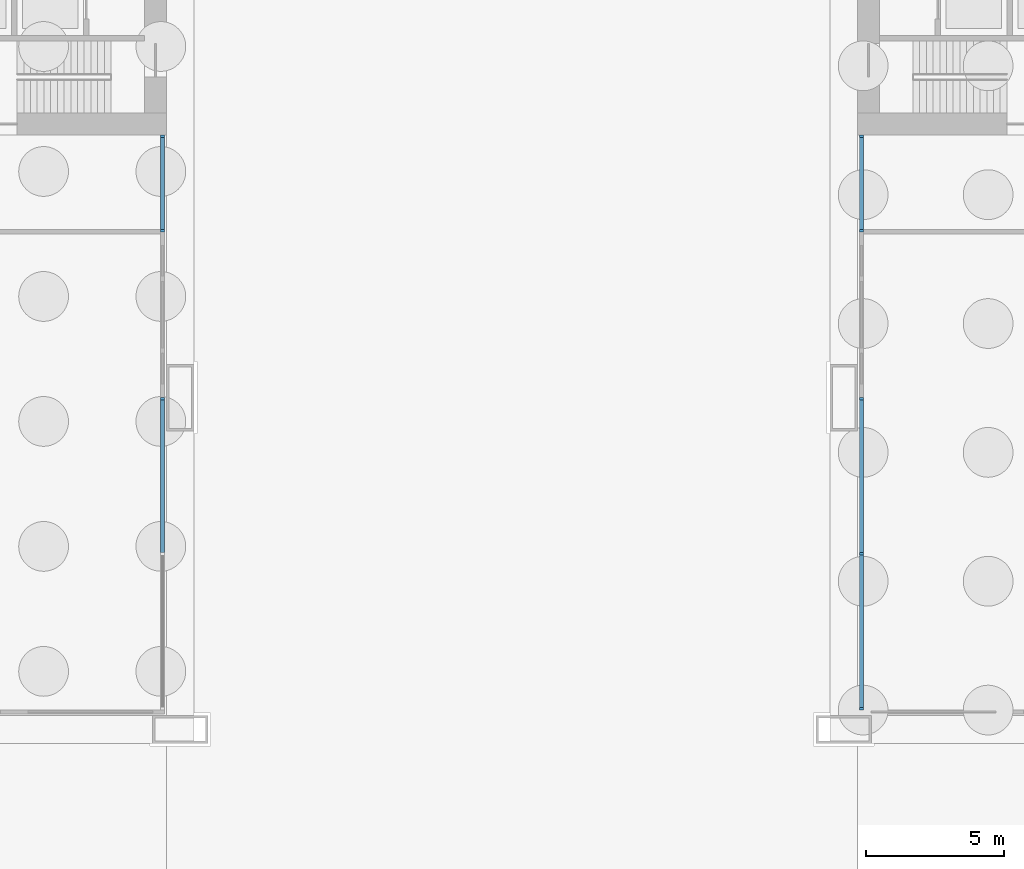
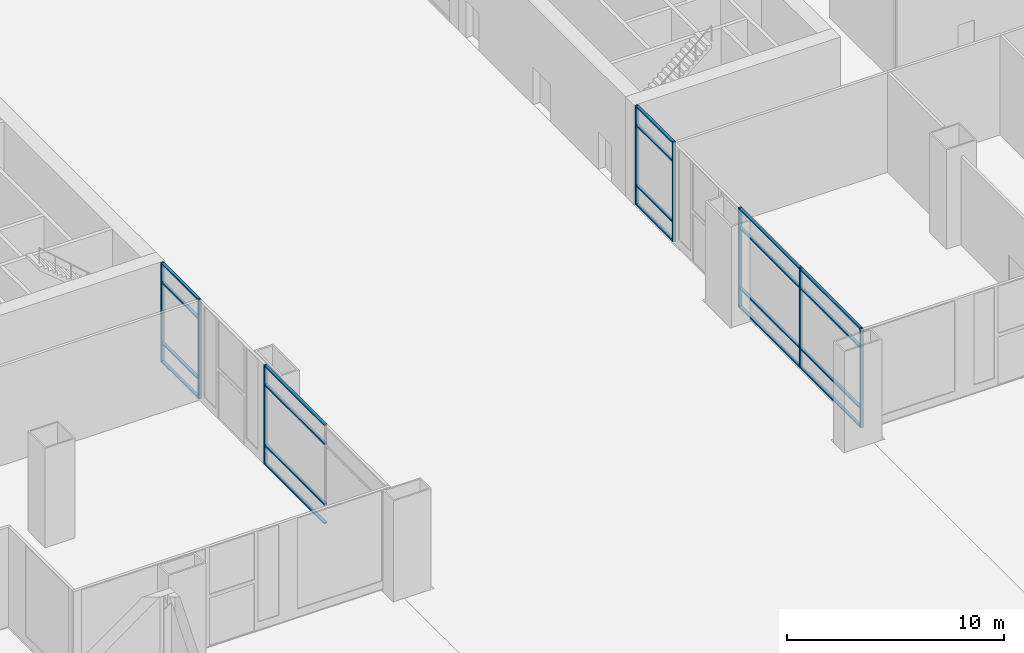
# One storey, part 11 of 29: 28 members, 4 elements without a shape of their own.
"""IFC4 building model written with IfcOpenShell, lengths in metres."""

from ifc_helpers import new_model, si_unit, direction, frame, origin, origin_2d, place, context, subcontext, project, spatial, rectangle, extrude, material, material_profile, profile_set, type_object, element, aggregate, save


model = new_model("IFC4")

# Units and contexts
model_context = context("Model", 3, precision=1e-05, world=origin(), true_north=direction((0.0, 1.0)))
body_context = subcontext(model_context, "Body", "Model", "MODEL_VIEW")
ifc_project = project(units=[si_unit("LENGTHUNIT", "METRE"), si_unit("AREAUNIT", "SQUARE_METRE"), si_unit("VOLUMEUNIT", "CUBIC_METRE"), si_unit("PLANEANGLEUNIT", "RADIAN"), si_unit("MASSUNIT", "GRAM", prefix="KILO")], contexts=[model_context])

# Site, building, storey
site_placement = place(None, origin())
site = spatial("IfcSite", under=ifc_project, at=site_placement, CompositionType="ELEMENT")
building_placement = place(site_placement, origin())
building = spatial("IfcBuilding", under=site, at=building_placement, Name="Kitamizu Gate Tower and Museum", CompositionType="ELEMENT")
storey_placement = place(building_placement, origin())
storey = spatial("IfcBuildingStorey", under=building, at=storey_placement, Name="L00", CompositionType="ELEMENT", Elevation=0.0)

# Curtain wall, member
ifc_material_1 = material(Name="Bronze anodised aluminium frame, tinted triple glazing", Category="aluminium")
curtain_wall_type = type_object("IfcCurtainWallType", Name="CURTAIN WALL TYPE A PODIUM", PredefinedType="NOTDEFINED", material=ifc_material_1)
curtain_wall_1_placement = place(storey_placement, origin())
curtain_wall_1 = element("IfcCurtainWall", 1, at=curtain_wall_1_placement, inside=storey, type_object=curtain_wall_type, Name="Curtain wall CW-A east L00", PredefinedType="NOTDEFINED")
ifc_material_2 = material(Name="Bronze anodised aluminium", Category="aluminium")
ifc_material_profile_1 = material_profile(ifc_material_2, rectangle(XDim=0.090087890625, YDim=0.14990234375, at=origin_2d()), Name="AL 90X150")
ifc_profile_set_1 = profile_set([ifc_material_profile_1], Name="Bronze anodised aluminium")
member_type_1 = type_object("IfcMemberType", Name="MULLION 90 X 150 TYPE A", PredefinedType="MULLION", material=ifc_profile_set_1)
member_1_placement = place(storey_placement, frame((23.364990234375, 11.955078125, 0.0), z_axis=(0.0, 0.0, 1.0), x_axis=(0.0, 1.0, 0.0)))
member_1 = element("IfcMember", 2, at=member_1_placement, type_object=member_type_1, Name="CW-A mullion 3", PredefinedType="MULLION", context=body_context, shape_type="SweptSolid", body=[
    extrude(rectangle(XDim=0.090087890625, YDim=0.14990234375, at=origin_2d()), origin(), (0.0, 0.0, 1.0), 5.60009765625),
])

# Curtain wall, members
curtain_wall_2_placement = place(storey_placement, origin())
curtain_wall_2 = element("IfcCurtainWall", 3, at=curtain_wall_2_placement, inside=storey, type_object=curtain_wall_type, Name="Curtain wall CW-A east L00", PredefinedType="NOTDEFINED")
member_2_placement = place(storey_placement, frame((23.364990234375, 18.044921875, 0.0), z_axis=(0.0, 0.0, 1.0), x_axis=(0.0, 1.0, 0.0)))
member_2 = element("IfcMember", 4, at=member_2_placement, type_object=member_type_1, Name="CW-A mullion 1", PredefinedType="MULLION", context=body_context, shape_type="SweptSolid", body=[
    extrude(rectangle(XDim=0.090087890625, YDim=0.14990234375, at=origin_2d()), origin(), (0.0, 0.0, 1.0), 5.60009765625),
])
member_3_placement = place(storey_placement, frame((23.364990234375, 21.455078125, 0.0), z_axis=(0.0, 0.0, 1.0), x_axis=(0.0, 1.0, 0.0)))
member_3 = element("IfcMember", 5, at=member_3_placement, type_object=member_type_1, Name="CW-A mullion 2", PredefinedType="MULLION", context=body_context, shape_type="SweptSolid", body=[
    extrude(rectangle(XDim=0.090087890625, YDim=0.14990234375, at=origin_2d()), origin(), (0.0, 0.0, 1.0), 5.60009765625),
])

curtain_wall_3_placement = place(storey_placement, origin())
curtain_wall_3 = element("IfcCurtainWall", 6, at=curtain_wall_3_placement, inside=storey, type_object=curtain_wall_type, Name="Curtain wall CW-A west L00", PredefinedType="NOTDEFINED")
member_4_placement = place(storey_placement, frame((48.635009765625, 0.7548828125, 0.0), z_axis=(0.0, 0.0, 1.0), x_axis=(0.0, 1.0, 0.0)))
member_4 = element("IfcMember", 7, at=member_4_placement, type_object=member_type_1, Name="CW-A mullion 1", PredefinedType="MULLION", context=body_context, shape_type="SweptSolid", body=[
    extrude(rectangle(XDim=0.090087890625, YDim=0.14990234375, at=origin_2d()), origin(), (0.0, 0.0, 1.0), 5.60009765625),
])
member_5_placement = place(storey_placement, frame((48.635009765625, 6.35498046875, 0.0), z_axis=(0.0, 0.0, 1.0), x_axis=(0.0, 1.0, 0.0)))
member_5 = element("IfcMember", 8, at=member_5_placement, type_object=member_type_1, Name="CW-A mullion 2", PredefinedType="MULLION", context=body_context, shape_type="SweptSolid", body=[
    extrude(rectangle(XDim=0.090087890625, YDim=0.14990234375, at=origin_2d()), origin(), (0.0, 0.0, 1.0), 5.60009765625),
])
member_6_placement = place(storey_placement, frame((48.635009765625, 11.955078125, 0.0), z_axis=(0.0, 0.0, 1.0), x_axis=(0.0, 1.0, 0.0)))
member_6 = element("IfcMember", 9, at=member_6_placement, type_object=member_type_1, Name="CW-A mullion 3", PredefinedType="MULLION", context=body_context, shape_type="SweptSolid", body=[
    extrude(rectangle(XDim=0.090087890625, YDim=0.14990234375, at=origin_2d()), origin(), (0.0, 0.0, 1.0), 5.60009765625),
])

curtain_wall_4_placement = place(storey_placement, origin())
curtain_wall_4 = element("IfcCurtainWall", 10, at=curtain_wall_4_placement, inside=storey, type_object=curtain_wall_type, Name="Curtain wall CW-A west L00", PredefinedType="NOTDEFINED")
member_7_placement = place(storey_placement, frame((48.635009765625, 18.044921875, 0.0), z_axis=(0.0, 0.0, 1.0), x_axis=(0.0, 1.0, 0.0)))
member_7 = element("IfcMember", 11, at=member_7_placement, type_object=member_type_1, Name="CW-A mullion 1", PredefinedType="MULLION", context=body_context, shape_type="SweptSolid", body=[
    extrude(rectangle(XDim=0.090087890625, YDim=0.14990234375, at=origin_2d()), origin(), (0.0, 0.0, 1.0), 5.60009765625),
])
member_8_placement = place(storey_placement, frame((48.635009765625, 21.455078125, 0.0), z_axis=(0.0, 0.0, 1.0), x_axis=(0.0, 1.0, 0.0)))
member_8 = element("IfcMember", 12, at=member_8_placement, type_object=member_type_1, Name="CW-A mullion 2", PredefinedType="MULLION", context=body_context, shape_type="SweptSolid", body=[
    extrude(rectangle(XDim=0.090087890625, YDim=0.14990234375, at=origin_2d()), origin(), (0.0, 0.0, 1.0), 5.60009765625),
])

# Member
ifc_material_3 = material(Name="Bronze anodised aluminium", Category="aluminium")
ifc_material_profile_2 = material_profile(ifc_material_3, rectangle(XDim=0.14990234375, YDim=0.080078125, at=origin_2d()), Name="AL 80X150")
ifc_profile_set_2 = profile_set([ifc_material_profile_2], Name="Bronze anodised aluminium")
member_type_2 = type_object("IfcMemberType", Name="TRANSOM 80 X 150 TYPE A", PredefinedType="USERDEFINED", material=ifc_profile_set_2)
member_9_placement = place(storey_placement, frame((23.364990234375, 6.39990234375, 0.0400390625), z_axis=(0.0, 1.0, 0.0), x_axis=(-1.0, 0.0, 0.0)))
member_9 = element("IfcMember", 13, at=member_9_placement, type_object=member_type_2, Name="CW-A transom 2.1", ObjectType="TRANSOM", PredefinedType="USERDEFINED", context=body_context, shape_type="SweptSolid", body=[
    extrude(rectangle(XDim=0.14990234375, YDim=0.080078125, at=origin_2d()), origin(), (0.0, 0.0, 1.0), 5.510009765625),
])

member_10_placement = place(storey_placement, frame((23.364990234375, 6.39990234375, 1.10009765625), z_axis=(0.0, 1.0, 0.0), x_axis=(-1.0, 0.0, 0.0)))
member_10 = element("IfcMember", 14, at=member_10_placement, type_object=member_type_2, Name="CW-A transom 2.2", ObjectType="TRANSOM", PredefinedType="USERDEFINED", context=body_context, shape_type="SweptSolid", body=[
    extrude(rectangle(XDim=0.14990234375, YDim=0.080078125, at=origin_2d()), origin(), (0.0, 0.0, 1.0), 5.510009765625),
])

member_11_placement = place(storey_placement, frame((23.364990234375, 6.39990234375, 4.5), z_axis=(0.0, 1.0, 0.0), x_axis=(-1.0, 0.0, 0.0)))
member_11 = element("IfcMember", 15, at=member_11_placement, type_object=member_type_2, Name="CW-A transom 2.3", ObjectType="TRANSOM", PredefinedType="USERDEFINED", context=body_context, shape_type="SweptSolid", body=[
    extrude(rectangle(XDim=0.14990234375, YDim=0.080078125, at=origin_2d()), origin(), (0.0, 0.0, 1.0), 5.510009765625),
])

member_12_placement = place(storey_placement, frame((23.364990234375, 6.39990234375, 5.56005859375), z_axis=(0.0, 1.0, 0.0), x_axis=(-1.0, 0.0, 0.0)))
member_12 = element("IfcMember", 16, at=member_12_placement, type_object=member_type_2, Name="CW-A transom 2.4", ObjectType="TRANSOM", PredefinedType="USERDEFINED", context=body_context, shape_type="SweptSolid", body=[
    extrude(rectangle(XDim=0.14990234375, YDim=0.080078125, at=origin_2d()), origin(), (0.0, 0.0, 1.0), 5.510009765625),
])

aggregate(curtain_wall_1, [member_1, member_9, member_10, member_11, member_12])

member_13_placement = place(storey_placement, frame((23.364990234375, 18.090087890625, 0.0400390625), z_axis=(0.0, 1.0, 0.0), x_axis=(-1.0, 0.0, 0.0)))
member_13 = element("IfcMember", 17, at=member_13_placement, type_object=member_type_2, Name="CW-A transom 1.1", ObjectType="TRANSOM", PredefinedType="USERDEFINED", context=body_context, shape_type="SweptSolid", body=[
    extrude(rectangle(XDim=0.14990234375, YDim=0.080078125, at=origin_2d()), origin(), (0.0, 0.0, 1.0), 3.31982421875),
])

member_14_placement = place(storey_placement, frame((23.364990234375, 18.090087890625, 1.10009765625), z_axis=(0.0, 1.0, 0.0), x_axis=(-1.0, 0.0, 0.0)))
member_14 = element("IfcMember", 18, at=member_14_placement, type_object=member_type_2, Name="CW-A transom 1.2", ObjectType="TRANSOM", PredefinedType="USERDEFINED", context=body_context, shape_type="SweptSolid", body=[
    extrude(rectangle(XDim=0.14990234375, YDim=0.080078125, at=origin_2d()), origin(), (0.0, 0.0, 1.0), 3.31982421875),
])

member_15_placement = place(storey_placement, frame((23.364990234375, 18.090087890625, 4.5), z_axis=(0.0, 1.0, 0.0), x_axis=(-1.0, 0.0, 0.0)))
member_15 = element("IfcMember", 19, at=member_15_placement, type_object=member_type_2, Name="CW-A transom 1.3", ObjectType="TRANSOM", PredefinedType="USERDEFINED", context=body_context, shape_type="SweptSolid", body=[
    extrude(rectangle(XDim=0.14990234375, YDim=0.080078125, at=origin_2d()), origin(), (0.0, 0.0, 1.0), 3.31982421875),
])

member_16_placement = place(storey_placement, frame((23.364990234375, 18.090087890625, 5.56005859375), z_axis=(0.0, 1.0, 0.0), x_axis=(-1.0, 0.0, 0.0)))
member_16 = element("IfcMember", 20, at=member_16_placement, type_object=member_type_2, Name="CW-A transom 1.4", ObjectType="TRANSOM", PredefinedType="USERDEFINED", context=body_context, shape_type="SweptSolid", body=[
    extrude(rectangle(XDim=0.14990234375, YDim=0.080078125, at=origin_2d()), origin(), (0.0, 0.0, 1.0), 3.31982421875),
])

aggregate(curtain_wall_2, [member_2, member_3, member_13, member_14, member_15, member_16])

member_17_placement = place(storey_placement, frame((48.635009765625, 0.800048828125, 0.0400390625), z_axis=(0.0, 1.0, 0.0), x_axis=(-1.0, 0.0, 0.0)))
member_17 = element("IfcMember", 21, at=member_17_placement, type_object=member_type_2, Name="CW-A transom 1.1", ObjectType="TRANSOM", PredefinedType="USERDEFINED", context=body_context, shape_type="SweptSolid", body=[
    extrude(rectangle(XDim=0.14990234375, YDim=0.080078125, at=origin_2d()), origin(), (0.0, 0.0, 1.0), 5.510009765625),
])

member_18_placement = place(storey_placement, frame((48.635009765625, 0.800048828125, 1.10009765625), z_axis=(0.0, 1.0, 0.0), x_axis=(-1.0, 0.0, 0.0)))
member_18 = element("IfcMember", 22, at=member_18_placement, type_object=member_type_2, Name="CW-A transom 1.2", ObjectType="TRANSOM", PredefinedType="USERDEFINED", context=body_context, shape_type="SweptSolid", body=[
    extrude(rectangle(XDim=0.14990234375, YDim=0.080078125, at=origin_2d()), origin(), (0.0, 0.0, 1.0), 5.510009765625),
])

member_19_placement = place(storey_placement, frame((48.635009765625, 0.800048828125, 4.5), z_axis=(0.0, 1.0, 0.0), x_axis=(-1.0, 0.0, 0.0)))
member_19 = element("IfcMember", 23, at=member_19_placement, type_object=member_type_2, Name="CW-A transom 1.3", ObjectType="TRANSOM", PredefinedType="USERDEFINED", context=body_context, shape_type="SweptSolid", body=[
    extrude(rectangle(XDim=0.14990234375, YDim=0.080078125, at=origin_2d()), origin(), (0.0, 0.0, 1.0), 5.510009765625),
])

member_20_placement = place(storey_placement, frame((48.635009765625, 0.800048828125, 5.56005859375), z_axis=(0.0, 1.0, 0.0), x_axis=(-1.0, 0.0, 0.0)))
member_20 = element("IfcMember", 24, at=member_20_placement, type_object=member_type_2, Name="CW-A transom 1.4", ObjectType="TRANSOM", PredefinedType="USERDEFINED", context=body_context, shape_type="SweptSolid", body=[
    extrude(rectangle(XDim=0.14990234375, YDim=0.080078125, at=origin_2d()), origin(), (0.0, 0.0, 1.0), 5.510009765625),
])

member_21_placement = place(storey_placement, frame((48.635009765625, 6.39990234375, 0.0400390625), z_axis=(0.0, 1.0, 0.0), x_axis=(-1.0, 0.0, 0.0)))
member_21 = element("IfcMember", 25, at=member_21_placement, type_object=member_type_2, Name="CW-A transom 2.1", ObjectType="TRANSOM", PredefinedType="USERDEFINED", context=body_context, shape_type="SweptSolid", body=[
    extrude(rectangle(XDim=0.14990234375, YDim=0.080078125, at=origin_2d()), origin(), (0.0, 0.0, 1.0), 5.510009765625),
])

member_22_placement = place(storey_placement, frame((48.635009765625, 6.39990234375, 1.10009765625), z_axis=(0.0, 1.0, 0.0), x_axis=(-1.0, 0.0, 0.0)))
member_22 = element("IfcMember", 26, at=member_22_placement, type_object=member_type_2, Name="CW-A transom 2.2", ObjectType="TRANSOM", PredefinedType="USERDEFINED", context=body_context, shape_type="SweptSolid", body=[
    extrude(rectangle(XDim=0.14990234375, YDim=0.080078125, at=origin_2d()), origin(), (0.0, 0.0, 1.0), 5.510009765625),
])

member_23_placement = place(storey_placement, frame((48.635009765625, 6.39990234375, 4.5), z_axis=(0.0, 1.0, 0.0), x_axis=(-1.0, 0.0, 0.0)))
member_23 = element("IfcMember", 27, at=member_23_placement, type_object=member_type_2, Name="CW-A transom 2.3", ObjectType="TRANSOM", PredefinedType="USERDEFINED", context=body_context, shape_type="SweptSolid", body=[
    extrude(rectangle(XDim=0.14990234375, YDim=0.080078125, at=origin_2d()), origin(), (0.0, 0.0, 1.0), 5.510009765625),
])

member_24_placement = place(storey_placement, frame((48.635009765625, 6.39990234375, 5.56005859375), z_axis=(0.0, 1.0, 0.0), x_axis=(-1.0, 0.0, 0.0)))
member_24 = element("IfcMember", 28, at=member_24_placement, type_object=member_type_2, Name="CW-A transom 2.4", ObjectType="TRANSOM", PredefinedType="USERDEFINED", context=body_context, shape_type="SweptSolid", body=[
    extrude(rectangle(XDim=0.14990234375, YDim=0.080078125, at=origin_2d()), origin(), (0.0, 0.0, 1.0), 5.510009765625),
])

aggregate(curtain_wall_3, [member_4, member_5, member_6, member_17, member_18, member_19, member_20, member_21, member_22, member_23, member_24])

member_25_placement = place(storey_placement, frame((48.635009765625, 18.090087890625, 0.0400390625), z_axis=(0.0, 1.0, 0.0), x_axis=(-1.0, 0.0, 0.0)))
member_25 = element("IfcMember", 29, at=member_25_placement, type_object=member_type_2, Name="CW-A transom 1.1", ObjectType="TRANSOM", PredefinedType="USERDEFINED", context=body_context, shape_type="SweptSolid", body=[
    extrude(rectangle(XDim=0.14990234375, YDim=0.080078125, at=origin_2d()), origin(), (0.0, 0.0, 1.0), 3.31982421875),
])

member_26_placement = place(storey_placement, frame((48.635009765625, 18.090087890625, 1.10009765625), z_axis=(0.0, 1.0, 0.0), x_axis=(-1.0, 0.0, 0.0)))
member_26 = element("IfcMember", 30, at=member_26_placement, type_object=member_type_2, Name="CW-A transom 1.2", ObjectType="TRANSOM", PredefinedType="USERDEFINED", context=body_context, shape_type="SweptSolid", body=[
    extrude(rectangle(XDim=0.14990234375, YDim=0.080078125, at=origin_2d()), origin(), (0.0, 0.0, 1.0), 3.31982421875),
])

member_27_placement = place(storey_placement, frame((48.635009765625, 18.090087890625, 4.5), z_axis=(0.0, 1.0, 0.0), x_axis=(-1.0, 0.0, 0.0)))
member_27 = element("IfcMember", 31, at=member_27_placement, type_object=member_type_2, Name="CW-A transom 1.3", ObjectType="TRANSOM", PredefinedType="USERDEFINED", context=body_context, shape_type="SweptSolid", body=[
    extrude(rectangle(XDim=0.14990234375, YDim=0.080078125, at=origin_2d()), origin(), (0.0, 0.0, 1.0), 3.31982421875),
])

member_28_placement = place(storey_placement, frame((48.635009765625, 18.090087890625, 5.56005859375), z_axis=(0.0, 1.0, 0.0), x_axis=(-1.0, 0.0, 0.0)))
member_28 = element("IfcMember", 32, at=member_28_placement, type_object=member_type_2, Name="CW-A transom 1.4", ObjectType="TRANSOM", PredefinedType="USERDEFINED", context=body_context, shape_type="SweptSolid", body=[
    extrude(rectangle(XDim=0.14990234375, YDim=0.080078125, at=origin_2d()), origin(), (0.0, 0.0, 1.0), 3.31982421875),
])

aggregate(curtain_wall_4, [member_7, member_8, member_25, member_26, member_27, member_28])

save(model, "model.ifc")
